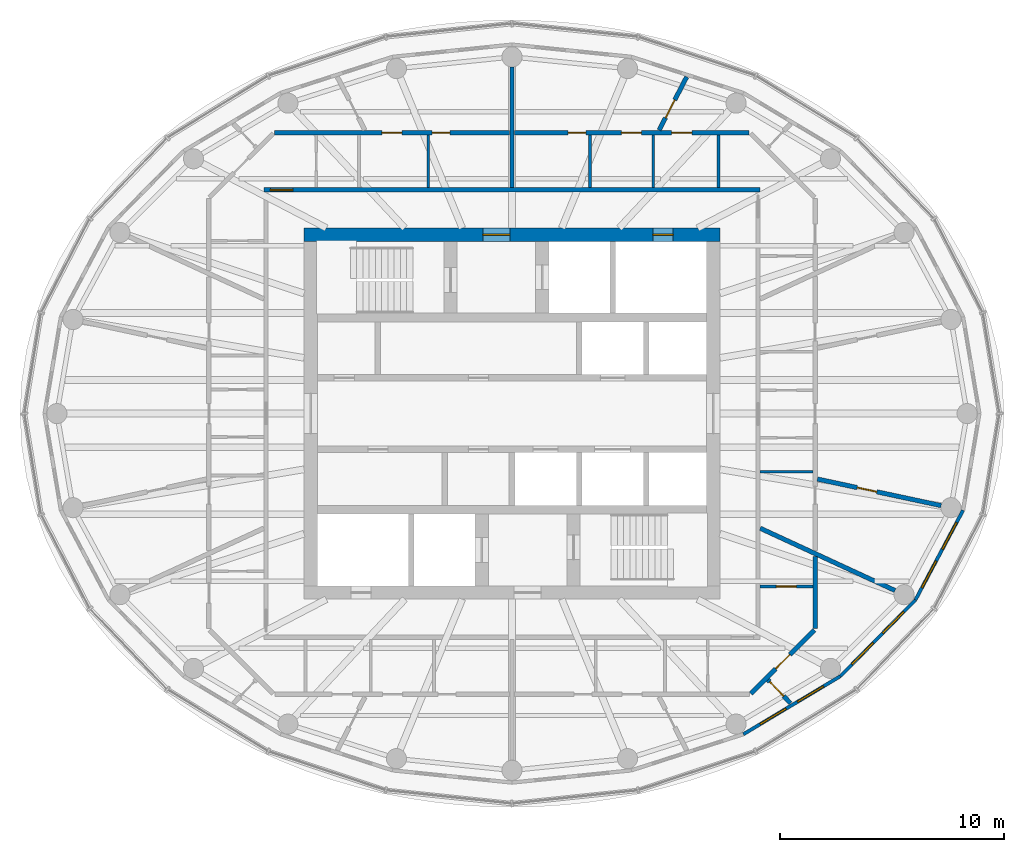
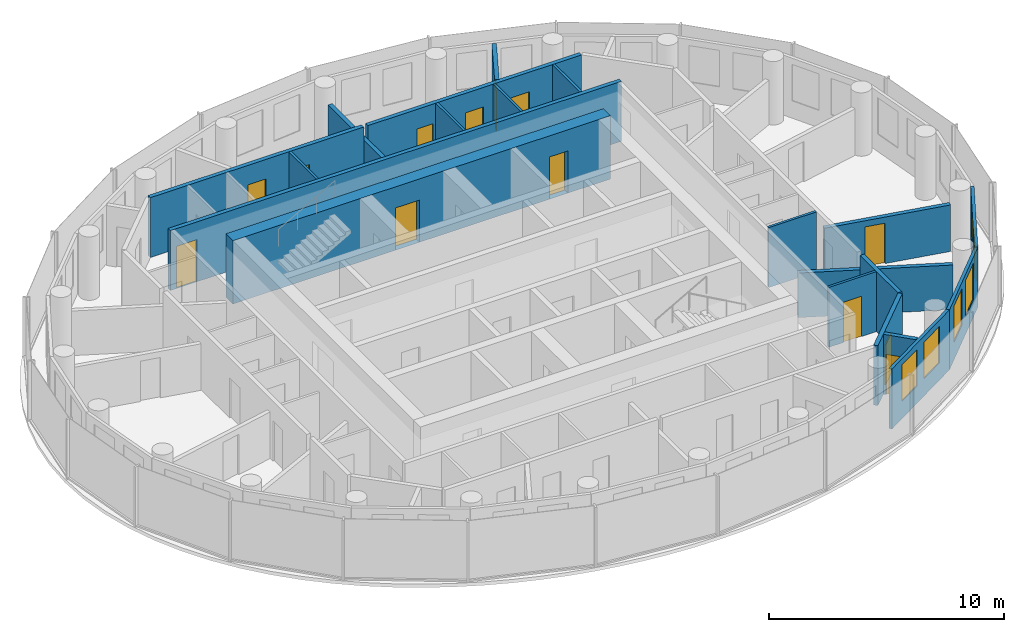
# One storey, part 8 of 11: 20 walls, 13 doors, 6 windows, 19 openings.
"""IFC4 building model written with IfcOpenShell, lengths in metres."""

from ifc_helpers import new_model, si_unit, direction, frame, frame_2d, origin, place, context, subcontext, project, spatial, rectangle, extrude, material, layer, layer_set, type_object, element, fill, save


model = new_model("IFC4")

# Units and contexts
model_context = context("Model", 3, precision=1e-05, world=origin(), true_north=direction((0.0, 1.0)))
body_context = subcontext(model_context, "Body", "Model", "MODEL_VIEW")
ifc_project = project(units=[si_unit("LENGTHUNIT", "METRE"), si_unit("AREAUNIT", "SQUARE_METRE"), si_unit("VOLUMEUNIT", "CUBIC_METRE"), si_unit("PLANEANGLEUNIT", "RADIAN"), si_unit("MASSUNIT", "GRAM", prefix="KILO")], contexts=[model_context])

# Site, building, storey
site_placement = place(None, origin())
site = spatial("IfcSite", under=ifc_project, at=site_placement, CompositionType="ELEMENT")
building_placement = place(site_placement, origin())
building = spatial("IfcBuilding", under=site, at=building_placement, Name="Hankou Lantern Tower", CompositionType="ELEMENT")
storey_placement = place(building_placement, frame((0.0, 0.0, 225.89990234375)))
storey = spatial("IfcBuildingStorey", under=building, at=storey_placement, Name="L61", CompositionType="ELEMENT", Elevation=225.89990234375)

# Wall, openings, doors
ifc_material_1 = material(Name="Concrete C60", Category="concrete")
ifc_layer_1 = layer(ifc_material_1, 0.60009765625)
ifc_layer_set_1 = layer_set([ifc_layer_1], Name="Concrete C60")
wall_type_1 = type_object("IfcWallType", Name="CW3 CORE WALL 600", PredefinedType="SHEAR", material=ifc_layer_set_1)
wall_1_placement = place(storey_placement, frame((-9.300048828125, 8.0, 0.0), z_axis=(0.0, 0.0, 1.0), x_axis=(1.0, 0.0, 0.0)))
wall_1 = element("IfcWall", 1, at=wall_1_placement, inside=storey, type_object=wall_type_1, Name="Core wall north L61", PredefinedType="SHEAR", context=body_context, shape_type="SweptSolid", body=[
    extrude(rectangle(XDim=18.60009765625, YDim=0.60009765625, at=frame_2d((9.300048828125, 0.0))), origin(), (0.0, 0.0, 1.0), 3.300048828125),
])
opening_1_placement = place(wall_1_placement, frame((8.0, 0.0, 0.0)))
opening_1 = element("IfcOpeningElement", 2, at=opening_1_placement, cuts=wall_1, Name="Opening D5", PredefinedType="OPENING", context=body_context, shape_type="SweptSolid", body=[
    extrude(rectangle(XDim=1.199951171875, YDim=2.199951171875, at=frame_2d((0.60009765625, 1.10009765625))), frame((0.0, 0.31005859375, 0.0), z_axis=(0.0, -1.0, 0.0), x_axis=(1.0, 0.0, 0.0)), (0.0, 0.0, 1.0), 0.6201171875),
])
opening_2_placement = place(wall_1_placement, frame((15.60009765625, 0.0, 0.0)))
opening_2 = element("IfcOpeningElement", 3, at=opening_2_placement, cuts=wall_1, Name="Opening D7", PredefinedType="OPENING", context=body_context, shape_type="SweptSolid", body=[
    extrude(rectangle(XDim=0.89990234375, YDim=2.199951171875, at=frame_2d((0.449951171875, 1.10009765625))), frame((0.0, 0.31005859375, 0.0), z_axis=(0.0, -1.0, 0.0), x_axis=(1.0, 0.0, 0.0)), (0.0, 0.0, 1.0), 0.6201171875),
])
ifc_material_2 = material(Name="Steel door leaf", Category="steel")
door_type_1 = type_object("IfcDoorType", Name="D5 STAIR LOBBY DOOR 1200X2200", OperationType="SINGLE_SWING_LEFT", PredefinedType="DOOR", material=ifc_material_2)
door_1_placement = place(opening_1_placement, origin())
door_1 = element("IfcDoor", 4, at=door_1_placement, inside=storey, type_object=door_type_1, Name="Stair A lobby door", OperationType="SINGLE_SWING_LEFT", OverallHeight=2.199951171875, OverallWidth=1.199951171875, PredefinedType="DOOR", context=body_context, shape_type="SweptSolid", body=[
    extrude(rectangle(XDim=1.199951171875, YDim=2.199951171875, at=frame_2d((0.60009765625, 1.10009765625))), frame((0.0, 0.02490234375, 0.0), z_axis=(0.0, -1.0, 0.0), x_axis=(1.0, 0.0, 0.0)), (0.0, 0.0, 1.0), 0.050048828125),
])
fill(opening_1, door_1)
ifc_material_3 = material(Name="Steel door leaf", Category="steel")
door_type_2 = type_object("IfcDoorType", Name="D7 RISER DOOR 900X2200", OperationType="SINGLE_SWING_LEFT", PredefinedType="DOOR", material=ifc_material_3)
door_2_placement = place(opening_2_placement, origin())
door_2 = element("IfcDoor", 5, at=door_2_placement, inside=storey, type_object=door_type_2, Name="Riser N1 door", OperationType="SINGLE_SWING_RIGHT", OverallHeight=2.199951171875, OverallWidth=0.89990234375, PredefinedType="DOOR", context=body_context, shape_type="SweptSolid", body=[
    extrude(rectangle(XDim=0.89990234375, YDim=2.199951171875, at=frame_2d((0.449951171875, 1.10009765625))), frame((0.0, 0.02490234375, 0.0), z_axis=(0.0, -1.0, 0.0), x_axis=(1.0, 0.0, 0.0)), (0.0, 0.0, 1.0), 0.050048828125),
])
fill(opening_2, door_2)

# Wall, openings, windows
ifc_material_4 = material(Name="Aluminium spandrel panel on steel studs", Category="steel")
ifc_layer_2 = layer(ifc_material_4, 0.14990234375)
ifc_layer_set_2 = layer_set([ifc_layer_2], Name="Aluminium spandrel panel on steel studs")
wall_type_2 = type_object("IfcWallType", Name="EW1 INNER SKIN WALL 150", PredefinedType="ELEMENTEDWALL", material=ifc_layer_set_2)
wall_2_placement = place(storey_placement, frame((10.346435546875, -14.33642578125, 0.0), z_axis=(0.0, 0.0, 1.0), x_axis=(0.85822150553, 0.513279502265, 0.0)))
wall_2 = element("IfcWall", 6, at=wall_2_placement, inside=storey, type_object=wall_type_2, Name="Inner skin R21-R22 L61", PredefinedType="ELEMENTEDWALL", context=body_context, shape_type="SweptSolid", body=[
    extrude(rectangle(XDim=5.050048828125, YDim=0.14990234375, at=frame_2d((2.52490234375, 0.0))), origin(), (0.0, 0.0, 1.0), 3.1201171875),
])
opening_3_placement = place(wall_2_placement, frame((0.875, 0.0, 0.89990234375)))
opening_3 = element("IfcOpeningElement", 7, at=opening_3_placement, cuts=wall_2, Name="Opening W4", PredefinedType="OPENING", context=body_context, shape_type="SweptSolid", body=[
    extrude(rectangle(XDim=1.35009765625, YDim=1.89990234375, at=frame_2d((0.675048828125, 0.949951171875))), frame((0.0, 0.0849609375, 0.0), z_axis=(0.0, -1.0, 0.0), x_axis=(1.0, 0.0, 0.0)), (0.0, 0.0, 1.0), 0.169921875),
])
opening_4_placement = place(wall_2_placement, frame((2.824951171875, 0.0, 0.89990234375)))
opening_4 = element("IfcOpeningElement", 8, at=opening_4_placement, cuts=wall_2, Name="Opening W4", PredefinedType="OPENING", context=body_context, shape_type="SweptSolid", body=[
    extrude(rectangle(XDim=1.35009765625, YDim=1.89990234375, at=frame_2d((0.675048828125, 0.949951171875))), frame((0.0, 0.0849609375, 0.0), z_axis=(0.0, -1.0, 0.0), x_axis=(1.0, 0.0, 0.0)), (0.0, 0.0, 1.0), 0.169921875),
])
ifc_material_5 = material(Name="Aluminium framed double glazed window", Category="aluminium")
window_type = type_object("IfcWindowType", Name="W4 SUITE WINDOW 1350X1900", PartitioningType="DOUBLE_PANEL_VERTICAL", PredefinedType="WINDOW", material=ifc_material_5)
window_1_placement = place(opening_3_placement, origin())
window_1 = element("IfcWindow", 9, at=window_1_placement, inside=storey, type_object=window_type, Name="Window R21.1 L61", OverallHeight=1.89990234375, OverallWidth=1.35009765625, PartitioningType="SINGLE_PANEL", PredefinedType="WINDOW", context=body_context, shape_type="SweptSolid", body=[
    extrude(rectangle(XDim=1.35009765625, YDim=1.89990234375, at=frame_2d((0.675048828125, 0.949951171875))), frame((0.0, 0.030029296875, 0.0), z_axis=(0.0, -1.0, 0.0), x_axis=(1.0, 0.0, 0.0)), (0.0, 0.0, 1.0), 0.06005859375),
])
fill(opening_3, window_1)
window_2_placement = place(opening_4_placement, origin())
window_2 = element("IfcWindow", 10, at=window_2_placement, inside=storey, type_object=window_type, Name="Window R21.2 L61", OverallHeight=1.89990234375, OverallWidth=1.35009765625, PartitioningType="SINGLE_PANEL", PredefinedType="WINDOW", context=body_context, shape_type="SweptSolid", body=[
    extrude(rectangle(XDim=1.35009765625, YDim=1.89990234375, at=frame_2d((0.675048828125, 0.949951171875))), frame((0.0, 0.030029296875, 0.0), z_axis=(0.0, -1.0, 0.0), x_axis=(1.0, 0.0, 0.0)), (0.0, 0.0, 1.0), 0.06005859375),
])
fill(opening_4, window_2)

wall_3_placement = place(storey_placement, frame((14.680419921875, -11.744384765625, 0.0), z_axis=(0.0, 0.0, 1.0), x_axis=(0.701527379618, 0.712642501993, 0.0)))
wall_3 = element("IfcWall", 11, at=wall_3_placement, inside=storey, type_object=wall_type_2, Name="Inner skin R22-R23 L61", PredefinedType="ELEMENTEDWALL", context=body_context, shape_type="SweptSolid", body=[
    extrude(rectangle(XDim=4.788330078125, YDim=0.14990234375, at=frame_2d((2.39404296875, 0.0))), origin(), (0.0, 0.0, 1.0), 3.1201171875),
])
opening_5_placement = place(wall_3_placement, frame((0.744140625, 0.0, 0.89990234375)))
opening_5 = element("IfcOpeningElement", 12, at=opening_5_placement, cuts=wall_3, Name="Opening W4", PredefinedType="OPENING", context=body_context, shape_type="SweptSolid", body=[
    extrude(rectangle(XDim=1.35009765625, YDim=1.89990234375, at=frame_2d((0.675048828125, 0.949951171875))), frame((0.0, 0.0849609375, 0.0), z_axis=(0.0, -1.0, 0.0), x_axis=(1.0, 0.0, 0.0)), (0.0, 0.0, 1.0), 0.169921875),
])
opening_6_placement = place(wall_3_placement, frame((2.694091796875, 0.0, 0.89990234375)))
opening_6 = element("IfcOpeningElement", 13, at=opening_6_placement, cuts=wall_3, Name="Opening W4", PredefinedType="OPENING", context=body_context, shape_type="SweptSolid", body=[
    extrude(rectangle(XDim=1.35009765625, YDim=1.89990234375, at=frame_2d((0.675048828125, 0.949951171875))), frame((0.0, 0.0849609375, 0.0), z_axis=(0.0, -1.0, 0.0), x_axis=(1.0, 0.0, 0.0)), (0.0, 0.0, 1.0), 0.169921875),
])
window_3_placement = place(opening_5_placement, origin())
window_3 = element("IfcWindow", 14, at=window_3_placement, inside=storey, type_object=window_type, Name="Window R22.1 L61", OverallHeight=1.89990234375, OverallWidth=1.35009765625, PartitioningType="SINGLE_PANEL", PredefinedType="WINDOW", context=body_context, shape_type="SweptSolid", body=[
    extrude(rectangle(XDim=1.35009765625, YDim=1.89990234375, at=frame_2d((0.675048828125, 0.949951171875))), frame((0.0, 0.030029296875, 0.0), z_axis=(0.0, -1.0, 0.0), x_axis=(1.0, 0.0, 0.0)), (0.0, 0.0, 1.0), 0.06005859375),
])
fill(opening_5, window_3)
window_4_placement = place(opening_6_placement, origin())
window_4 = element("IfcWindow", 15, at=window_4_placement, inside=storey, type_object=window_type, Name="Window R22.2 L61", OverallHeight=1.89990234375, OverallWidth=1.35009765625, PartitioningType="SINGLE_PANEL", PredefinedType="WINDOW", context=body_context, shape_type="SweptSolid", body=[
    extrude(rectangle(XDim=1.35009765625, YDim=1.89990234375, at=frame_2d((0.675048828125, 0.949951171875))), frame((0.0, 0.030029296875, 0.0), z_axis=(0.0, -1.0, 0.0), x_axis=(1.0, 0.0, 0.0)), (0.0, 0.0, 1.0), 0.06005859375),
])
fill(opening_6, window_4)

wall_4_placement = place(storey_placement, frame((18.03955078125, -8.33203125, 0.0), z_axis=(0.0, 0.0, 1.0), x_axis=(0.469256152955, 0.883062094597, 0.0)))
wall_4 = element("IfcWall", 16, at=wall_4_placement, inside=storey, type_object=wall_type_2, Name="Inner skin R23-R24 L61", PredefinedType="ELEMENTEDWALL", context=body_context, shape_type="SweptSolid", body=[
    extrude(rectangle(XDim=4.539306640625, YDim=0.14990234375, at=frame_2d((2.26953125, 0.0))), origin(), (0.0, 0.0, 1.0), 3.1201171875),
])
opening_7_placement = place(wall_4_placement, frame((0.61962890625, 0.0, 0.89990234375)))
opening_7 = element("IfcOpeningElement", 17, at=opening_7_placement, cuts=wall_4, Name="Opening W4", PredefinedType="OPENING", context=body_context, shape_type="SweptSolid", body=[
    extrude(rectangle(XDim=1.35009765625, YDim=1.89990234375, at=frame_2d((0.675048828125, 0.949951171875))), frame((0.0, 0.0849609375, 0.0), z_axis=(0.0, -1.0, 0.0), x_axis=(1.0, 0.0, 0.0)), (0.0, 0.0, 1.0), 0.169921875),
])
opening_8_placement = place(wall_4_placement, frame((2.569580078125, 0.0, 0.89990234375)))
opening_8 = element("IfcOpeningElement", 18, at=opening_8_placement, cuts=wall_4, Name="Opening W4", PredefinedType="OPENING", context=body_context, shape_type="SweptSolid", body=[
    extrude(rectangle(XDim=1.35009765625, YDim=1.89990234375, at=frame_2d((0.675048828125, 0.949951171875))), frame((0.0, 0.0849609375, 0.0), z_axis=(0.0, -1.0, 0.0), x_axis=(1.0, 0.0, 0.0)), (0.0, 0.0, 1.0), 0.169921875),
])
window_5_placement = place(opening_7_placement, origin())
window_5 = element("IfcWindow", 19, at=window_5_placement, inside=storey, type_object=window_type, Name="Window R23.1 L61", OverallHeight=1.89990234375, OverallWidth=1.35009765625, PartitioningType="SINGLE_PANEL", PredefinedType="WINDOW", context=body_context, shape_type="SweptSolid", body=[
    extrude(rectangle(XDim=1.35009765625, YDim=1.89990234375, at=frame_2d((0.675048828125, 0.949951171875))), frame((0.0, 0.030029296875, 0.0), z_axis=(0.0, -1.0, 0.0), x_axis=(1.0, 0.0, 0.0)), (0.0, 0.0, 1.0), 0.06005859375),
])
fill(opening_7, window_5)
window_6_placement = place(opening_8_placement, origin())
window_6 = element("IfcWindow", 20, at=window_6_placement, inside=storey, type_object=window_type, Name="Window R23.2 L61", OverallHeight=1.89990234375, OverallWidth=1.35009765625, PartitioningType="SINGLE_PANEL", PredefinedType="WINDOW", context=body_context, shape_type="SweptSolid", body=[
    extrude(rectangle(XDim=1.35009765625, YDim=1.89990234375, at=frame_2d((0.675048828125, 0.949951171875))), frame((0.0, 0.030029296875, 0.0), z_axis=(0.0, -1.0, 0.0), x_axis=(1.0, 0.0, 0.0)), (0.0, 0.0, 1.0), 0.06005859375),
])
fill(opening_8, window_6)

# Walls
ifc_material_6 = material(Name="Masonry lightweight concrete block", Category="masonry")
ifc_layer_3 = layer(ifc_material_6, 0.199951171875)
ifc_layer_set_3 = layer_set([ifc_layer_3], Name="Masonry lightweight concrete block")
wall_type_3 = type_object("IfcWallType", Name="IW1 GUEST ROOM PARTY WALL 200", PredefinedType="PARTITIONING", material=ifc_layer_set_3)
wall_5_placement = place(storey_placement, frame((0.0, 10.10009765625, 0.0), z_axis=(0.0, 0.0, 1.0), x_axis=(0.0, 1.0, 0.0)))
element("IfcWall", 21, at=wall_5_placement, inside=storey, type_object=wall_type_3, Name="Party wall R07", PredefinedType="PARTITIONING", context=body_context, shape_type="SweptSolid", body=[
    extrude(rectangle(XDim=5.39990234375, YDim=0.199951171875, at=frame_2d((2.699951171875, 0.0))), origin(), (0.0, 0.0, 1.0), 2.420166015625),
])
wall_6_placement = place(storey_placement, frame((11.10009765625, -5.126953125, 0.0), z_axis=(0.0, 0.0, 1.0), x_axis=(0.907840886552, -0.419314827672, 0.0)))
element("IfcWall", 22, at=wall_6_placement, inside=storey, type_object=wall_type_3, Name="Party wall R23", PredefinedType="PARTITIONING", context=body_context, shape_type="SweptSolid", body=[
    extrude(rectangle(XDim=6.63525390625, YDim=0.199951171875, at=frame_2d((3.317626953125, 0.0))), origin(), (0.0, 0.0, 1.0), 2.320068359375),
])

# Wall, opening, door
ifc_material_7 = material(Name="Masonry lightweight concrete block", Category="masonry")
ifc_layer_4 = layer(ifc_material_7, 0.199951171875)
ifc_layer_set_4 = layer_set([ifc_layer_4], Name="Masonry lightweight concrete block")
wall_type_4 = type_object("IfcWallType", Name="IW2 CORRIDOR WALL 200", PredefinedType="PARTITIONING", material=ifc_layer_set_4)
wall_7_placement = place(storey_placement, frame((-11.10009765625, 10.0, 0.0), z_axis=(0.0, 0.0, 1.0), x_axis=(1.0, 0.0, 0.0)))
wall_7 = element("IfcWall", 23, at=wall_7_placement, inside=storey, type_object=wall_type_4, Name="Corridor wall north", PredefinedType="PARTITIONING", context=body_context, shape_type="SweptSolid", body=[
    extrude(rectangle(XDim=22.2001953125, YDim=0.199951171875, at=frame_2d((11.10009765625, 0.0))), origin(), (0.0, 0.0, 1.0), 3.1201171875),
])
opening_9_placement = place(wall_7_placement, frame((0.300048828125, 0.0, 0.0)))
opening_9 = element("IfcOpeningElement", 24, at=opening_9_placement, cuts=wall_7, Name="Opening D2", PredefinedType="OPENING", context=body_context, shape_type="SweptSolid", body=[
    extrude(rectangle(XDim=1.0, YDim=2.199951171875, at=frame_2d((0.5, 1.10009765625))), frame((0.0, 0.10986328125, 0.0), z_axis=(0.0, -1.0, 0.0), x_axis=(1.0, 0.0, 0.0)), (0.0, 0.0, 1.0), 0.219970703125),
])
ifc_material_8 = material(Name="Steel door leaf", Category="steel")
door_type_3 = type_object("IfcDoorType", Name="D2 SUITE DOOR 1000X2200", OperationType="SINGLE_SWING_LEFT", PredefinedType="DOOR", material=ifc_material_8)
door_3_placement = place(opening_9_placement, origin())
door_3 = element("IfcDoor", 25, at=door_3_placement, inside=storey, type_object=door_type_3, Name="Suite door 6102", OperationType="SINGLE_SWING_RIGHT", OverallHeight=2.199951171875, OverallWidth=1.0, PredefinedType="DOOR", context=body_context, shape_type="SweptSolid", body=[
    extrude(rectangle(XDim=1.0, YDim=2.199951171875, at=frame_2d((0.5, 1.10009765625))), frame((0.0, 0.02490234375, 0.0), z_axis=(0.0, -1.0, 0.0), x_axis=(1.0, 0.0, 0.0)), (0.0, 0.0, 1.0), 0.050048828125),
])
fill(opening_9, door_3)

# Walls
ifc_material_9 = material(Name="Masonry lightweight concrete block", Category="masonry")
ifc_layer_5 = layer(ifc_material_9, 0.1201171875)
ifc_layer_set_5 = layer_set([ifc_layer_5], Name="Masonry lightweight concrete block")
wall_type_5 = type_object("IfcWallType", Name="IW3 BATHROOM WALL 120", PredefinedType="PARTITIONING", material=ifc_layer_set_5)
for number, where, z_axis, x_axis, name in (
    (26, (9.23193359375, 10.10009765625, 0.0), (0.0, 0.0, 1.0), (0.0, 1.0, 0.0), "Box wall 6101 2"),
    (27, (6.31982421875, 10.10009765625, 0.0), (0.0, 0.0, 1.0), (0.0, 1.0, 0.0), "Box wall 6101 3"),
    (28, (3.49072265625, 10.10009765625, 0.0), (0.0, 0.0, 1.0), (0.0, 1.0, 0.0), "Box wall 6101 4"),
    (29, (-3.740478515625, 10.10009765625, 0.0), (0.0, 0.0, 1.0), (0.0, 1.0, 0.0), "Box wall 6102 1"),
):
    element("IfcWall", number, at=place(storey_placement, frame(where, z_axis=z_axis, x_axis=x_axis)), inside=storey, type_object=wall_type_5, Name=name, PredefinedType="PARTITIONING", context=body_context, shape_type="SweptSolid", body=[
        extrude(rectangle(XDim=2.349853515625, YDim=0.1201171875, at=frame_2d((1.1748046875, 0.0))), origin(), (0.0, 0.0, 1.0), 3.1201171875),
    ])

# Wall, opening, door
wall_8_placement = place(storey_placement, frame((11.10009765625, -7.72900390625, 0.0), z_axis=(0.0, 0.0, 1.0), x_axis=(1.0, 0.0, 0.0)))
wall_8 = element("IfcWall", 30, at=wall_8_placement, inside=storey, type_object=wall_type_5, Name="Box wall 6105 4", PredefinedType="PARTITIONING", context=body_context, shape_type="SweptSolid", body=[
    extrude(rectangle(XDim=2.349853515625, YDim=0.1201171875, at=frame_2d((1.1748046875, 0.0))), origin(), (0.0, 0.0, 1.0), 3.1201171875),
])
opening_10_placement = place(wall_8_placement, frame((0.719970703125, 0.0, 0.0)))
opening_10 = element("IfcOpeningElement", 31, at=opening_10_placement, cuts=wall_8, Name="Opening D27", PredefinedType="OPENING", context=body_context, shape_type="SweptSolid", body=[
    extrude(rectangle(XDim=0.89990234375, YDim=2.10009765625, at=frame_2d((0.449951171875, 1.050048828125))), frame((0.0, 0.070068359375, 0.0), z_axis=(0.0, -1.0, 0.0), x_axis=(1.0, 0.0, 0.0)), (0.0, 0.0, 1.0), 0.14013671875),
])
ifc_material_10 = material(Name="Timber door leaf", Category="wood")
door_type_4 = type_object("IfcDoorType", Name="D27 INTERNAL DOOR 900X2100", OperationType="SINGLE_SWING_LEFT", PredefinedType="DOOR", material=ifc_material_10)
door_4_placement = place(opening_10_placement, origin())
door_4 = element("IfcDoor", 32, at=door_4_placement, inside=storey, type_object=door_type_4, Name="Corner suite 6105 pantry door", OperationType="SINGLE_SWING_LEFT", OverallHeight=2.10009765625, OverallWidth=0.89990234375, PredefinedType="DOOR", context=body_context, shape_type="SweptSolid", body=[
    extrude(rectangle(XDim=0.89990234375, YDim=2.10009765625, at=frame_2d((0.449951171875, 1.050048828125))), frame((0.0, 0.02490234375, 0.0), z_axis=(0.0, -1.0, 0.0), x_axis=(1.0, 0.0, 0.0)), (0.0, 0.0, 1.0), 0.050048828125),
])
fill(opening_10, door_4)

# Wall
wall_9_placement = place(storey_placement, frame((11.10009765625, -2.601806640625, 0.0), z_axis=(0.0, 0.0, 1.0), x_axis=(1.0, 0.0, 0.0)))
element("IfcWall", 33, at=wall_9_placement, inside=storey, type_object=wall_type_5, Name="Box wall 6106 1", PredefinedType="PARTITIONING", context=body_context, shape_type="SweptSolid", body=[
    extrude(rectangle(XDim=2.349853515625, YDim=0.1201171875, at=frame_2d((1.1748046875, 0.0))), origin(), (0.0, 0.0, 1.0), 3.1201171875),
])

# Wall, openings, doors
ifc_material_11 = material(Name="Masonry lightweight concrete block", Category="masonry")
ifc_layer_6 = layer(ifc_material_11, 0.199951171875)
ifc_layer_set_6 = layer_set([ifc_layer_6], Name="Masonry lightweight concrete block")
wall_type_6 = type_object("IfcWallType", Name="IW6 SUITE PARTITION 200", PredefinedType="PARTITIONING", material=ifc_layer_set_6)
wall_10_placement = place(storey_placement, frame((10.608642578125, 12.550048828125, 0.0), z_axis=(0.0, 0.0, 1.0), x_axis=(-1.0, 0.0, 0.0)))
wall_10 = element("IfcWall", 34, at=wall_10_placement, inside=storey, type_object=wall_type_6, Name="Suite foyer wall 6101", PredefinedType="PARTITIONING", context=body_context, shape_type="SweptSolid", body=[
    extrude(rectangle(XDim=10.507568359375, YDim=0.199951171875, at=frame_2d((5.25390625, 0.0))), origin(), (0.0, 0.0, 1.0), 3.1201171875),
])
opening_11_placement = place(wall_10_placement, frame((2.570068359375, 0.0, 0.0)))
opening_11 = element("IfcOpeningElement", 35, at=opening_11_placement, cuts=wall_10, Name="Opening D27", PredefinedType="OPENING", context=body_context, shape_type="SweptSolid", body=[
    extrude(rectangle(XDim=0.89990234375, YDim=2.10009765625, at=frame_2d((0.449951171875, 1.050048828125))), frame((0.0, 0.10986328125, 0.0), z_axis=(0.0, -1.0, 0.0), x_axis=(1.0, 0.0, 0.0)), (0.0, 0.0, 1.0), 0.219970703125),
])
opening_12_placement = place(wall_10_placement, frame((4.820068359375, 0.0, 0.0)))
opening_12 = element("IfcOpeningElement", 36, at=opening_12_placement, cuts=wall_10, Name="Opening D27", PredefinedType="OPENING", context=body_context, shape_type="SweptSolid", body=[
    extrude(rectangle(XDim=0.89990234375, YDim=2.10009765625, at=frame_2d((0.449951171875, 1.050048828125))), frame((0.0, 0.10986328125, 0.0), z_axis=(0.0, -1.0, 0.0), x_axis=(1.0, 0.0, 0.0)), (0.0, 0.0, 1.0), 0.219970703125),
])
opening_13_placement = place(wall_10_placement, frame((7.302734375, 0.0, 0.0)))
opening_13 = element("IfcOpeningElement", 37, at=opening_13_placement, cuts=wall_10, Name="Opening D3", PredefinedType="OPENING", context=body_context, shape_type="SweptSolid", body=[
    extrude(rectangle(XDim=0.800048828125, YDim=2.10009765625, at=frame_2d((0.39990234375, 1.050048828125))), frame((0.0, 0.10986328125, 0.0), z_axis=(0.0, -1.0, 0.0), x_axis=(1.0, 0.0, 0.0)), (0.0, 0.0, 1.0), 0.219970703125),
])
door_5_placement = place(opening_11_placement, origin())
door_5 = element("IfcDoor", 38, at=door_5_placement, inside=storey, type_object=door_type_4, Name="Corner suite 6101 pantry door", OperationType="SINGLE_SWING_RIGHT", OverallHeight=2.10009765625, OverallWidth=0.89990234375, PredefinedType="DOOR", context=body_context, shape_type="SweptSolid", body=[
    extrude(rectangle(XDim=0.89990234375, YDim=2.10009765625, at=frame_2d((0.449951171875, 1.050048828125))), frame((0.0, 0.02490234375, 0.0), z_axis=(0.0, -1.0, 0.0), x_axis=(1.0, 0.0, 0.0)), (0.0, 0.0, 1.0), 0.050048828125),
])
fill(opening_11, door_5)
door_6_placement = place(opening_12_placement, origin())
door_6 = element("IfcDoor", 39, at=door_6_placement, inside=storey, type_object=door_type_4, Name="Corner suite 6101 walk-in wardrobe door", OperationType="SINGLE_SWING_LEFT", OverallHeight=2.10009765625, OverallWidth=0.89990234375, PredefinedType="DOOR", context=body_context, shape_type="SweptSolid", body=[
    extrude(rectangle(XDim=0.89990234375, YDim=2.10009765625, at=frame_2d((0.449951171875, 1.050048828125))), frame((0.0, 0.02490234375, 0.0), z_axis=(0.0, -1.0, 0.0), x_axis=(1.0, 0.0, 0.0)), (0.0, 0.0, 1.0), 0.050048828125),
])
fill(opening_12, door_6)
ifc_material_12 = material(Name="Timber door leaf", Category="wood")
door_type_5 = type_object("IfcDoorType", Name="D3 BATHROOM DOOR 800X2100", OperationType="SINGLE_SWING_LEFT", PredefinedType="DOOR", material=ifc_material_12)
door_7_placement = place(opening_13_placement, origin())
door_7 = element("IfcDoor", 40, at=door_7_placement, inside=storey, type_object=door_type_5, Name="Corner suite 6101 bathroom door", OperationType="SINGLE_SWING_LEFT", OverallHeight=2.10009765625, OverallWidth=0.800048828125, PredefinedType="DOOR", context=body_context, shape_type="SweptSolid", body=[
    extrude(rectangle(XDim=0.800048828125, YDim=2.10009765625, at=frame_2d((0.39990234375, 1.050048828125))), frame((0.0, 0.02490234375, 0.0), z_axis=(0.0, -1.0, 0.0), x_axis=(1.0, 0.0, 0.0)), (0.0, 0.0, 1.0), 0.050048828125),
])
fill(opening_13, door_7)

# Wall, opening, door
wall_11_placement = place(storey_placement, frame((6.578125, 12.676513671875, 0.0), z_axis=(0.0, 0.0, 1.0), x_axis=(0.460620531465, 0.887597164255, 0.0)))
wall_11 = element("IfcWall", 41, at=wall_11_placement, inside=storey, type_object=wall_type_6, Name="Suite partition R05-R06", PredefinedType="PARTITIONING", context=body_context, shape_type="SweptSolid", body=[
    extrude(rectangle(XDim=2.677734375, YDim=0.199951171875, at=frame_2d((1.3388671875, 0.0))), origin(), (0.0, 0.0, 1.0), 3.1201171875),
])
opening_14_placement = place(wall_11_placement, frame((0.6201171875, 0.0, 0.0)))
opening_14 = element("IfcOpeningElement", 42, at=opening_14_placement, cuts=wall_11, Name="Opening D27", PredefinedType="OPENING", context=body_context, shape_type="SweptSolid", body=[
    extrude(rectangle(XDim=0.89990234375, YDim=2.10009765625, at=frame_2d((0.449951171875, 1.050048828125))), frame((0.0, 0.10986328125, 0.0), z_axis=(0.0, -1.0, 0.0), x_axis=(1.0, 0.0, 0.0)), (0.0, 0.0, 1.0), 0.219970703125),
])
door_8_placement = place(opening_14_placement, origin())
door_8 = element("IfcDoor", 43, at=door_8_placement, inside=storey, type_object=door_type_4, Name="Corner suite 6101 bedroom door", OperationType="SINGLE_SWING_LEFT", OverallHeight=2.10009765625, OverallWidth=0.89990234375, PredefinedType="DOOR", context=body_context, shape_type="SweptSolid", body=[
    extrude(rectangle(XDim=0.89990234375, YDim=2.10009765625, at=frame_2d((0.449951171875, 1.050048828125))), frame((0.0, 0.02490234375, 0.0), z_axis=(0.0, -1.0, 0.0), x_axis=(1.0, 0.0, 0.0)), (0.0, 0.0, 1.0), 0.050048828125),
])
fill(opening_14, door_8)

# Wall, openings, doors
wall_12_placement = place(storey_placement, frame((-0.10107421875, 12.550048828125, 0.0), z_axis=(0.0, 0.0, 1.0), x_axis=(-1.0, 0.0, 0.0)))
wall_12 = element("IfcWall", 44, at=wall_12_placement, inside=storey, type_object=wall_type_6, Name="Suite foyer wall 6102", PredefinedType="PARTITIONING", context=body_context, shape_type="SweptSolid", body=[
    extrude(rectangle(XDim=10.507568359375, YDim=0.199951171875, at=frame_2d((5.25390625, 0.0))), origin(), (0.0, 0.0, 1.0), 3.1201171875),
])
opening_15_placement = place(wall_12_placement, frame((2.675048828125, 0.0, 0.0)))
opening_15 = element("IfcOpeningElement", 45, at=opening_15_placement, cuts=wall_12, Name="Opening D3", PredefinedType="OPENING", context=body_context, shape_type="SweptSolid", body=[
    extrude(rectangle(XDim=0.800048828125, YDim=2.10009765625, at=frame_2d((0.39990234375, 1.050048828125))), frame((0.0, 0.10986328125, 0.0), z_axis=(0.0, -1.0, 0.0), x_axis=(1.0, 0.0, 0.0)), (0.0, 0.0, 1.0), 0.219970703125),
])
opening_16_placement = place(wall_12_placement, frame((4.820068359375, 0.0, 0.0)))
opening_16 = element("IfcOpeningElement", 46, at=opening_16_placement, cuts=wall_12, Name="Opening D27", PredefinedType="OPENING", context=body_context, shape_type="SweptSolid", body=[
    extrude(rectangle(XDim=0.89990234375, YDim=2.10009765625, at=frame_2d((0.449951171875, 1.050048828125))), frame((0.0, 0.10986328125, 0.0), z_axis=(0.0, -1.0, 0.0), x_axis=(1.0, 0.0, 0.0)), (0.0, 0.0, 1.0), 0.219970703125),
])
door_9_placement = place(opening_16_placement, origin())
door_9 = element("IfcDoor", 47, at=door_9_placement, inside=storey, type_object=door_type_4, Name="Corner suite 6102 walk-in wardrobe door", OperationType="SINGLE_SWING_RIGHT", OverallHeight=2.10009765625, OverallWidth=0.89990234375, PredefinedType="DOOR", context=body_context, shape_type="SweptSolid", body=[
    extrude(rectangle(XDim=0.89990234375, YDim=2.10009765625, at=frame_2d((0.449951171875, 1.050048828125))), frame((0.0, 0.02490234375, 0.0), z_axis=(0.0, -1.0, 0.0), x_axis=(1.0, 0.0, 0.0)), (0.0, 0.0, 1.0), 0.050048828125),
])
fill(opening_16, door_9)
door_10_placement = place(opening_15_placement, origin())
door_10 = element("IfcDoor", 48, at=door_10_placement, inside=storey, type_object=door_type_5, Name="Corner suite 6102 bathroom door", OperationType="SINGLE_SWING_RIGHT", OverallHeight=2.10009765625, OverallWidth=0.800048828125, PredefinedType="DOOR", context=body_context, shape_type="SweptSolid", body=[
    extrude(rectangle(XDim=0.800048828125, YDim=2.10009765625, at=frame_2d((0.39990234375, 1.050048828125))), frame((0.0, 0.02490234375, 0.0), z_axis=(0.0, -1.0, 0.0), x_axis=(1.0, 0.0, 0.0)), (0.0, 0.0, 1.0), 0.050048828125),
])
fill(opening_15, door_10)

# Wall, opening, door
wall_13_placement = place(storey_placement, frame((10.67919921875, -12.520751953125, 0.0), z_axis=(0.0, 0.0, 1.0), x_axis=(0.707106781187, 0.707106781187, 0.0)))
wall_13 = element("IfcWall", 49, at=wall_13_placement, inside=storey, type_object=wall_type_6, Name="Suite foyer wall 6105", PredefinedType="PARTITIONING", context=body_context, shape_type="SweptSolid", body=[
    extrude(rectangle(XDim=4.0185546875, YDim=0.199951171875, at=frame_2d((2.00927734375, 0.0))), origin(), (0.0, 0.0, 1.0), 3.1201171875),
])
opening_17_placement = place(wall_13_placement, frame((1.570068359375, 0.0, 0.0)))
opening_17 = element("IfcOpeningElement", 50, at=opening_17_placement, cuts=wall_13, Name="Opening D27", PredefinedType="OPENING", context=body_context, shape_type="SweptSolid", body=[
    extrude(rectangle(XDim=0.89990234375, YDim=2.10009765625, at=frame_2d((0.449951171875, 1.050048828125))), frame((0.0, 0.10986328125, 0.0), z_axis=(0.0, -1.0, 0.0), x_axis=(1.0, 0.0, 0.0)), (0.0, 0.0, 1.0), 0.219970703125),
])
door_11_placement = place(opening_17_placement, origin())
door_11 = element("IfcDoor", 51, at=door_11_placement, inside=storey, type_object=door_type_4, Name="Corner suite 6105 living room door", OperationType="SINGLE_SWING_RIGHT", OverallHeight=2.10009765625, OverallWidth=0.89990234375, PredefinedType="DOOR", context=body_context, shape_type="SweptSolid", body=[
    extrude(rectangle(XDim=0.89990234375, YDim=2.10009765625, at=frame_2d((0.449951171875, 1.050048828125))), frame((0.0, 0.02490234375, 0.0), z_axis=(0.0, -1.0, 0.0), x_axis=(1.0, 0.0, 0.0)), (0.0, 0.0, 1.0), 0.050048828125),
])
fill(opening_17, door_11)

# Wall
wall_14_placement = place(storey_placement, frame((13.550048828125, -9.608642578125, 0.0), z_axis=(0.0, 0.0, 1.0), x_axis=(0.0, 1.0, 0.0)))
element("IfcWall", 52, at=wall_14_placement, inside=storey, type_object=wall_type_6, Name="Suite foyer wall 6105", PredefinedType="PARTITIONING", context=body_context, shape_type="SweptSolid", body=[
    extrude(rectangle(XDim=3.2138671875, YDim=0.199951171875, at=frame_2d((1.60693359375, 0.0))), origin(), (0.0, 0.0, 1.0), 3.1201171875),
])

# Wall, opening, door
wall_15_placement = place(storey_placement, frame((11.44091796875, -11.900390625, 0.0), z_axis=(0.0, 0.0, 1.0), x_axis=(0.692958717259, -0.720977264672, 0.0)))
wall_15 = element("IfcWall", 53, at=wall_15_placement, inside=storey, type_object=wall_type_6, Name="Suite partition R21-R22", PredefinedType="PARTITIONING", context=body_context, shape_type="SweptSolid", body=[
    extrude(rectangle(XDim=1.4638671875, YDim=0.199951171875, at=frame_2d((0.73193359375, 0.0))), origin(), (0.0, 0.0, 1.0), 3.1201171875),
])
opening_18_placement = place(wall_15_placement, frame((0.1201171875, 0.0, 0.0)))
opening_18 = element("IfcOpeningElement", 54, at=opening_18_placement, cuts=wall_15, Name="Opening D27", PredefinedType="OPENING", context=body_context, shape_type="SweptSolid", body=[
    extrude(rectangle(XDim=0.89990234375, YDim=2.10009765625, at=frame_2d((0.449951171875, 1.050048828125))), frame((0.0, 0.10986328125, 0.0), z_axis=(0.0, -1.0, 0.0), x_axis=(1.0, 0.0, 0.0)), (0.0, 0.0, 1.0), 0.219970703125),
])
door_12_placement = place(opening_18_placement, origin())
door_12 = element("IfcDoor", 55, at=door_12_placement, inside=storey, type_object=door_type_4, Name="Corner suite 6105 dining room door", OperationType="SINGLE_SWING_LEFT", OverallHeight=2.10009765625, OverallWidth=0.89990234375, PredefinedType="DOOR", context=body_context, shape_type="SweptSolid", body=[
    extrude(rectangle(XDim=0.89990234375, YDim=2.10009765625, at=frame_2d((0.449951171875, 1.050048828125))), frame((0.0, 0.02490234375, 0.0), z_axis=(0.0, -1.0, 0.0), x_axis=(1.0, 0.0, 0.0)), (0.0, 0.0, 1.0), 0.050048828125),
])
fill(opening_18, door_12)

wall_16_placement = place(storey_placement, frame((13.65478515625, -2.927001953125, 0.0), z_axis=(0.0, 0.0, 1.0), x_axis=(0.977790419294, -0.209585056568, 0.0)))
wall_16 = element("IfcWall", 56, at=wall_16_placement, inside=storey, type_object=wall_type_6, Name="Suite partition R24", PredefinedType="PARTITIONING", context=body_context, shape_type="SweptSolid", body=[
    extrude(rectangle(XDim=5.66015625, YDim=0.199951171875, at=frame_2d((2.830078125, 0.0))), origin(), (0.0, 0.0, 1.0), 2.420166015625),
])
opening_19_placement = place(wall_16_placement, frame((1.820068359375, 0.0, 0.0)))
opening_19 = element("IfcOpeningElement", 57, at=opening_19_placement, cuts=wall_16, Name="Opening D27", PredefinedType="OPENING", context=body_context, shape_type="SweptSolid", body=[
    extrude(rectangle(XDim=0.89990234375, YDim=2.10009765625, at=frame_2d((0.449951171875, 1.050048828125))), frame((0.0, 0.10986328125, 0.0), z_axis=(0.0, -1.0, 0.0), x_axis=(1.0, 0.0, 0.0)), (0.0, 0.0, 1.0), 0.219970703125),
])
door_13_placement = place(opening_19_placement, origin())
door_13 = element("IfcDoor", 58, at=door_13_placement, inside=storey, type_object=door_type_4, Name="Family suite 6106 bedroom door", OperationType="SINGLE_SWING_LEFT", OverallHeight=2.10009765625, OverallWidth=0.89990234375, PredefinedType="DOOR", context=body_context, shape_type="SweptSolid", body=[
    extrude(rectangle(XDim=0.89990234375, YDim=2.10009765625, at=frame_2d((0.449951171875, 1.050048828125))), frame((0.0, 0.02490234375, 0.0), z_axis=(0.0, -1.0, 0.0), x_axis=(1.0, 0.0, 0.0)), (0.0, 0.0, 1.0), 0.050048828125),
])
fill(opening_19, door_13)

save(model, "model.ifc")
